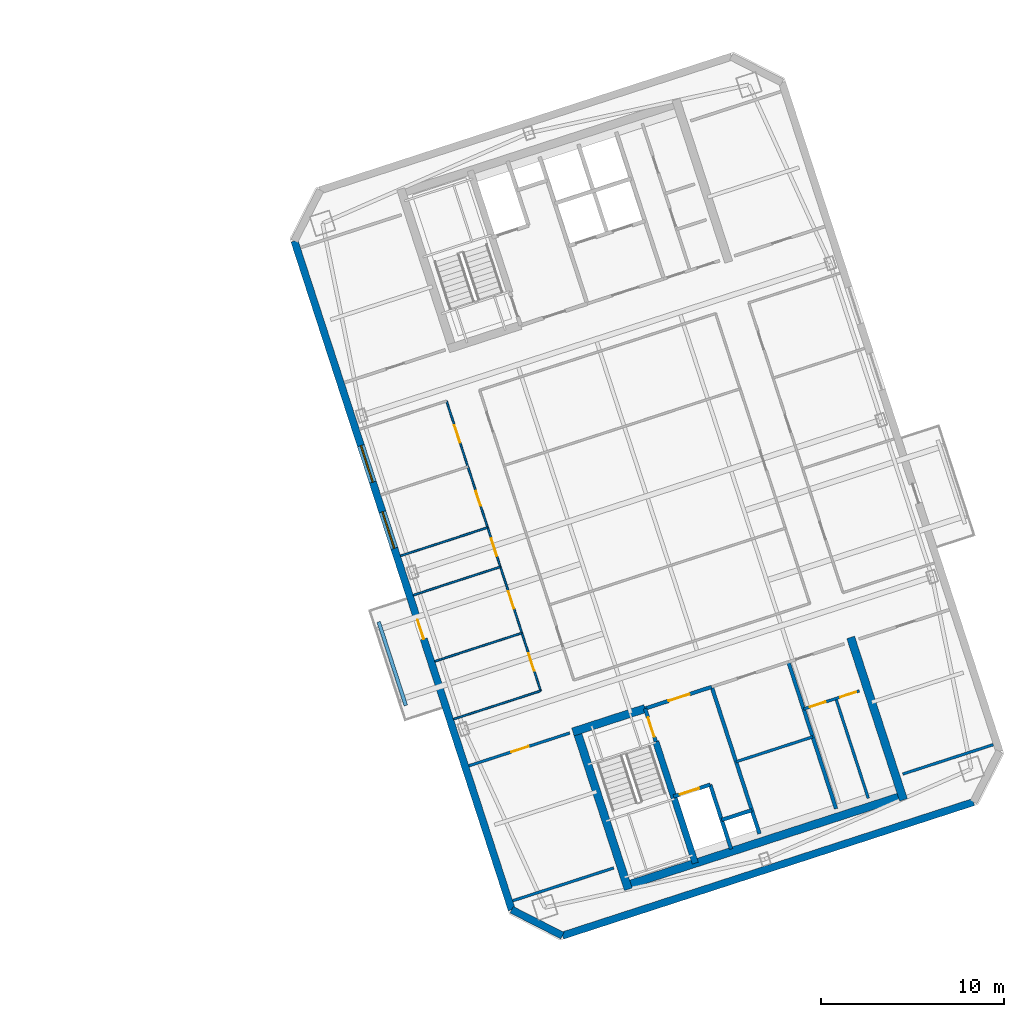
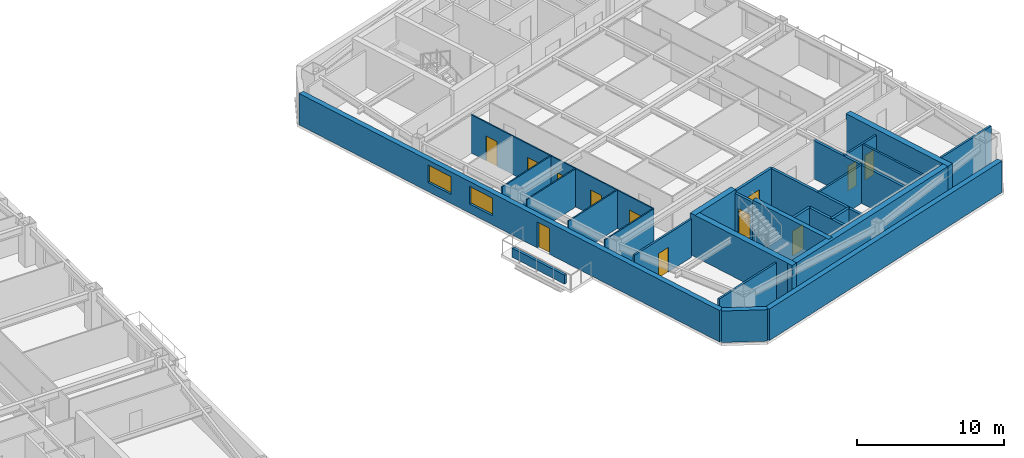
# One storey, part 8 of 15: 27 walls, 12 doors, 2 windows, 14 openings.
"""IFC4 building model written with IfcOpenShell, lengths in metres."""

from ifc_helpers import new_model, si_unit, direction, frame, frame_2d, origin, place, context, subcontext, project, spatial, rectangle, extrude, material, layer, layer_set, type_object, element, fill, save


model = new_model("IFC4")

# Units and contexts
model_context = context("Model", 3, precision=1e-05, world=origin(), true_north=direction((0.0, 1.0)))
body_context = subcontext(model_context, "Body", "Model", "MODEL_VIEW")
ifc_project = project(units=[si_unit("LENGTHUNIT", "METRE"), si_unit("AREAUNIT", "SQUARE_METRE"), si_unit("VOLUMEUNIT", "CUBIC_METRE"), si_unit("PLANEANGLEUNIT", "RADIAN"), si_unit("MASSUNIT", "GRAM", prefix="KILO")], contexts=[model_context])

# Site, building, storey
site_placement = place(None, origin())
site = spatial("IfcSite", under=ifc_project, at=site_placement, CompositionType="ELEMENT")
building_placement = place(site_placement, origin())
building = spatial("IfcBuilding", under=site, at=building_placement, Name="Qiaolan Cultural Towers", CompositionType="ELEMENT")
storey_placement = place(building_placement, frame((0.0, 0.0, 209.300048828125)))
storey = spatial("IfcBuildingStorey", under=building, at=storey_placement, Name="L56", CompositionType="ELEMENT", Elevation=209.300048828125)

# Walls
ifc_material_1 = material(Name="Concrete C50", Category="concrete")
ifc_layer_1 = layer(ifc_material_1, 0.35009765625)
ifc_layer_set_1 = layer_set([ifc_layer_1], Name="Concrete C50")
wall_type_1 = type_object("IfcWallType", Name="WL-CORE-350", PredefinedType="SHEAR", material=ifc_layer_set_1)
wall_1_placement = place(storey_placement, frame((90.486328125, 20.59423828125, 0.0), z_axis=(0.0, 0.0, 1.0), x_axis=(0.309020428229, -0.951055400562, 0.0)))
element("IfcWall", 1, at=wall_1_placement, inside=storey, type_object=wall_type_1, Name="L56 T2-CS Stair Core Dividing Web", PredefinedType="SHEAR", context=body_context, shape_type="SweptSolid", body=[
    extrude(rectangle(XDim=6.97998046875, YDim=0.35009765625, at=frame_2d((3.489990234375, 0.0))), origin(), (0.0, 0.0, 1.0), 3.449951171875),
])
ifc_material_2 = material(Name="Concrete C50", Category="concrete")
ifc_layer_2 = layer(ifc_material_2, 0.449951171875)
ifc_layer_set_2 = layer_set([ifc_layer_2], Name="Concrete C50")
wall_type_2 = type_object("IfcWallType", Name="WL-CORE-450", PredefinedType="SHEAR", material=ifc_layer_set_2)
wall_2_placement = place(storey_placement, frame((88.701171875, 12.675048828125, 0.0), z_axis=(0.0, 0.0, 1.0), x_axis=(0.95105824505, 0.309011673763, 0.0)))
element("IfcWall", 2, at=wall_2_placement, inside=storey, type_object=wall_type_2, Name="L56 T2-CS Outer Core Shear Wall", PredefinedType="SHEAR", context=body_context, shape_type="SweptSolid", body=[
    extrude(rectangle(XDim=16.250244140625, YDim=0.449951171875, at=frame_2d((8.125, 0.0))), origin(), (0.0, 0.0, 1.0), 3.449951171875),
])
for number, where, z_axis, x_axis, name in (
    (3, (86.1015625, 21.40380859375, 0.0), (0.0, 0.0, 1.0), (0.309035778627, -0.951050412717, 0.0), "L56 T2-CS West Core Shear Wall"),
    (4, (101.12841796875, 26.286376953125, 0.0), (0.0, 0.0, 1.0), (0.309004419953, -0.951060601881, 0.0), "L56 T2-CS East Core Shear Wall"),
):
    element("IfcWall", number, at=place(storey_placement, frame(where, z_axis=z_axis, x_axis=x_axis)), inside=storey, type_object=wall_type_2, Name=name, PredefinedType="SHEAR", context=body_context, shape_type="SweptSolid", body=[
        extrude(rectangle(XDim=9.330078125, YDim=0.449951171875, at=frame_2d((4.6650390625, 0.0))), origin(), (0.0, 0.0, 1.0), 3.449951171875),
    ])
wall_3_placement = place(storey_placement, frame((85.957275390625, 21.120361328125, 0.0), z_axis=(0.0, 0.0, 1.0), x_axis=(0.951064796122, 0.308991510526, 0.0)))
element("IfcWall", 5, at=wall_3_placement, inside=storey, type_object=wall_type_2, Name="L56 T2-CS Stair Front Shear Wall", PredefinedType="SHEAR", context=body_context, shape_type="SweptSolid", body=[
    extrude(rectangle(XDim=4.14501953125, YDim=0.449951171875, at=frame_2d((2.072509765625, 0.0))), origin(), (0.0, 0.0, 1.0), 3.449951171875),
])

# Wall, openings, door, windows
ifc_material_3 = material(Name="Precast Concrete C50 Honed Stone Pier", Category="masonry")
ifc_layer_3 = layer(ifc_material_3, 0.39990234375)
ifc_layer_set_3 = layer_set([ifc_layer_3], Name="Precast Concrete C50 Honed Stone Pier")
wall_type_3 = type_object("IfcWallType", Name="WL-EXT-PIER-400", PredefinedType="SOLIDWALL", material=ifc_layer_set_3)
wall_4_placement = place(storey_placement, frame((82.618408203125, 11.41357421875, 0.0), z_axis=(0.0, 0.0, 1.0), x_axis=(-0.309016491071, 0.951056679828, 0.0)))
wall_4 = element("IfcWall", 6, at=wall_4_placement, inside=storey, type_object=wall_type_3, Name="L56 East Tower Precast Pier Facade Wall F1", PredefinedType="SOLIDWALL", context=body_context, shape_type="SweptSolid", body=[
    extrude(rectangle(XDim=38.39990234375, YDim=0.39990234375, at=frame_2d((19.199951171875, 0.0))), origin(), (0.0, 0.0, 1.0), 2.60986328125),
])
opening_1_placement = place(wall_4_placement, frame((20.75, 0.0, 0.75)))
opening_1 = element("IfcOpeningElement", 7, at=opening_1_placement, cuts=wall_4, Name="Opening W-05", PredefinedType="OPENING", context=body_context, shape_type="SweptSolid", body=[
    extrude(rectangle(XDim=2.10009765625, YDim=1.4599609375, at=frame_2d((1.050048828125, 0.72998046875))), frame((0.0, 0.2099609375, 0.0), z_axis=(0.0, -1.0, 0.0), x_axis=(1.0, 0.0, 0.0)), (0.0, 0.0, 1.0), 0.419921875),
])
opening_2_placement = place(wall_4_placement, frame((24.550048828125, 0.0, 0.75)))
opening_2 = element("IfcOpeningElement", 8, at=opening_2_placement, cuts=wall_4, Name="Opening W-05", PredefinedType="OPENING", context=body_context, shape_type="SweptSolid", body=[
    extrude(rectangle(XDim=2.10009765625, YDim=1.4599609375, at=frame_2d((1.050048828125, 0.72998046875))), frame((0.0, 0.2099609375, 0.0), z_axis=(0.0, -1.0, 0.0), x_axis=(1.0, 0.0, 0.0)), (0.0, 0.0, 1.0), 0.419921875),
])
opening_3_placement = place(wall_4_placement, frame((15.550048828125, 0.0, 0.0)))
opening_3 = element("IfcOpeningElement", 9, at=opening_3_placement, cuts=wall_4, Name="Opening BD-01", PredefinedType="OPENING", context=body_context, shape_type="SweptSolid", body=[
    extrude(rectangle(XDim=1.10009765625, YDim=2.14990234375, at=frame_2d((0.550048828125, 1.074951171875))), frame((0.0, 0.2099609375, 0.0), z_axis=(0.0, -1.0, 0.0), x_axis=(1.0, 0.0, 0.0)), (0.0, 0.0, 1.0), 0.419921875),
])
ifc_material_4 = material(Name="Thermally Broken Aluminium Glazed Terrace Door", Category="aluminium")
door_type_1 = type_object("IfcDoorType", Name="DR-BAL-1100", OperationType="NOTDEFINED", PredefinedType="DOOR", material=ifc_material_4)
door_1_placement = place(opening_3_placement, origin())
door_1 = element("IfcDoor", 10, at=door_1_placement, inside=storey, type_object=door_type_1, Name="L56 T2 West Tree Balcony Door", OperationType="SINGLE_SWING_LEFT", OverallHeight=2.14990234375, OverallWidth=1.10009765625, PredefinedType="DOOR", context=body_context, shape_type="SweptSolid", body=[
    extrude(rectangle(XDim=1.10009765625, YDim=2.14990234375, at=frame_2d((0.550048828125, 1.074951171875))), frame((0.0, 0.02490234375, 0.0), z_axis=(0.0, -1.0, 0.0), x_axis=(1.0, 0.0, 0.0)), (0.0, 0.0, 1.0), 0.050048828125),
])
fill(opening_3, door_1)
ifc_material_5 = material(Name="Thermally Broken Aluminium Triple Low-E Glazing", Category="aluminium")
window_type = type_object("IfcWindowType", Name="WN-CHIC-2100", PartitioningType="SINGLE_PANEL", PredefinedType="WINDOW", material=ifc_material_5)
window_1_placement = place(opening_1_placement, origin())
window_1 = element("IfcWindow", 11, at=window_1_placement, inside=storey, type_object=window_type, Name="L56 T2 W Chicago Bay Window 1", OverallHeight=1.4599609375, OverallWidth=2.10009765625, PartitioningType="TRIPLE_PANEL_VERTICAL", PredefinedType="WINDOW", context=body_context, shape_type="SweptSolid", body=[
    extrude(rectangle(XDim=2.10009765625, YDim=1.4599609375, at=frame_2d((1.050048828125, 0.72998046875))), frame((0.0, 0.030029296875, 0.0), z_axis=(0.0, -1.0, 0.0), x_axis=(1.0, 0.0, 0.0)), (0.0, 0.0, 1.0), 0.06005859375),
])
fill(opening_1, window_1)
window_2_placement = place(opening_2_placement, origin())
window_2 = element("IfcWindow", 12, at=window_2_placement, inside=storey, type_object=window_type, Name="L56 T2 W Chicago Bay Window 2", OverallHeight=1.4599609375, OverallWidth=2.10009765625, PartitioningType="TRIPLE_PANEL_VERTICAL", PredefinedType="WINDOW", context=body_context, shape_type="SweptSolid", body=[
    extrude(rectangle(XDim=2.10009765625, YDim=1.4599609375, at=frame_2d((1.050048828125, 0.72998046875))), frame((0.0, 0.030029296875, 0.0), z_axis=(0.0, -1.0, 0.0), x_axis=(1.0, 0.0, 0.0)), (0.0, 0.0, 1.0), 0.06005859375),
])
fill(opening_2, window_2)

# Walls
wall_5_placement = place(storey_placement, frame((107.83544921875, 17.293701171875, 0.0), z_axis=(0.0, 0.0, 1.0), x_axis=(-0.951058012937, -0.309012388148, 0.0)))
element("IfcWall", 13, at=wall_5_placement, inside=storey, type_object=wall_type_3, Name="L56 East Tower Precast Pier Facade Wall F7", PredefinedType="SOLIDWALL", context=body_context, shape_type="SweptSolid", body=[
    extrude(rectangle(XDim=23.60009765625, YDim=0.39990234375, at=frame_2d((11.800048828125, 0.0))), origin(), (0.0, 0.0, 1.0), 2.60986328125),
])
wall_6_placement = place(storey_placement, frame((85.390380859375, 10.0009765625, 0.0), z_axis=(0.0, 0.0, 1.0), x_axis=(-0.890979603174, 0.454043331334, 0.0)))
element("IfcWall", 14, at=wall_6_placement, inside=storey, type_object=wall_type_3, Name="L56 East Tower Precast Pier Facade Wall F8", PredefinedType="SOLIDWALL", context=body_context, shape_type="SweptSolid", body=[
    extrude(rectangle(XDim=3.111083984375, YDim=0.39990234375, at=frame_2d((1.5556640625, 0.0))), origin(), (0.0, 0.0, 1.0), 2.60986328125),
])

# Wall, opening, door
ifc_material_6 = material(Name="Concrete C35 Fire Wall", Category="concrete")
ifc_layer_4 = layer(ifc_material_6, 0.199951171875)
ifc_layer_set_4 = layer_set([ifc_layer_4], Name="Concrete C35 Fire Wall")
wall_type_4 = type_object("IfcWallType", Name="WL-FIRE-200", PredefinedType="PARTITIONING", material=ifc_layer_set_4)
wall_7_placement = place(storey_placement, frame((89.8994140625, 22.401123046875, 0.0), z_axis=(0.0, 0.0, 1.0), x_axis=(0.308932062672, -0.951084108086, 0.0)))
wall_7 = element("IfcWall", 15, at=wall_7_placement, inside=storey, type_object=wall_type_4, Name="L56 T2-CS Smokeproof Stair Entry Wall", PredefinedType="PARTITIONING", context=body_context, shape_type="SweptSolid", body=[
    extrude(rectangle(XDim=1.89990234375, YDim=0.199951171875, at=frame_2d((0.949951171875, 0.0))), origin(), (0.0, 0.0, 1.0), 3.175048828125),
])
opening_4_placement = place(wall_7_placement, frame((0.52001953125, 0.0, 0.0)))
opening_4 = element("IfcOpeningElement", 16, at=opening_4_placement, cuts=wall_7, Name="Opening FD-04", PredefinedType="OPENING", context=body_context, shape_type="SweptSolid", body=[
    extrude(rectangle(XDim=1.10009765625, YDim=2.050048828125, at=frame_2d((0.550048828125, 1.02490234375))), frame((0.0, 0.10986328125, 0.0), z_axis=(0.0, -1.0, 0.0), x_axis=(1.0, 0.0, 0.0)), (0.0, 0.0, 1.0), 0.219970703125),
])
ifc_material_7 = material(Name="Galvanized Steel Command Fire Door", Category="steel")
door_type_2 = type_object("IfcDoorType", Name="DR-FD90-1100", OperationType="NOTDEFINED", PredefinedType="DOOR", material=ifc_material_7)
door_2_placement = place(opening_4_placement, origin())
door_2 = element("IfcDoor", 17, at=door_2_placement, inside=storey, type_object=door_type_2, Name="L56 ST-E1 Smokeproof Stair Fire Door", OperationType="SINGLE_SWING_LEFT", OverallHeight=2.050048828125, OverallWidth=1.10009765625, PredefinedType="DOOR", context=body_context, shape_type="SweptSolid", body=[
    extrude(rectangle(XDim=1.10009765625, YDim=2.050048828125, at=frame_2d((0.550048828125, 1.02490234375))), frame((0.0, 0.02490234375, 0.0), z_axis=(0.0, -1.0, 0.0), x_axis=(1.0, 0.0, 0.0)), (0.0, 0.0, 1.0), 0.050048828125),
])
fill(opening_4, door_2)

# Wall
wall_8_placement = place(storey_placement, frame((93.541748046875, 23.584716796875, 0.0), z_axis=(0.0, 0.0, 1.0), x_axis=(0.309042196757, -0.951048327176, 0.0)))
element("IfcWall", 18, at=wall_8_placement, inside=storey, type_object=wall_type_4, Name="L56 T2-CS Firefighting Zone Wall", PredefinedType="PARTITIONING", context=body_context, shape_type="SweptSolid", body=[
    extrude(rectangle(XDim=8.429931640625, YDim=0.199951171875, at=frame_2d((4.21484375, 0.0))), origin(), (0.0, 0.0, 1.0), 3.175048828125),
])

# Wall, opening, door
wall_9_placement = place(storey_placement, frame((89.8994140625, 22.401123046875, 0.0), z_axis=(0.0, 0.0, 1.0), x_axis=(0.951046716504, 0.309047153403, 0.0)))
wall_9 = element("IfcWall", 19, at=wall_9_placement, inside=storey, type_object=wall_type_4, Name="L56 T2-CS Firefighting Lobby Front Wall", PredefinedType="PARTITIONING", context=body_context, shape_type="SweptSolid", body=[
    extrude(rectangle(XDim=3.829833984375, YDim=0.199951171875, at=frame_2d((1.9150390625, 0.0))), origin(), (0.0, 0.0, 1.0), 3.175048828125),
])
opening_5_placement = place(wall_9_placement, frame((1.35009765625, 0.0, 0.0)))
opening_5 = element("IfcOpeningElement", 20, at=opening_5_placement, cuts=wall_9, Name="Opening FD-03", PredefinedType="OPENING", context=body_context, shape_type="SweptSolid", body=[
    extrude(rectangle(XDim=1.199951171875, YDim=2.050048828125, at=frame_2d((0.60009765625, 1.02490234375))), frame((0.0, 0.10986328125, 0.0), z_axis=(0.0, -1.0, 0.0), x_axis=(1.0, 0.0, 0.0)), (0.0, 0.0, 1.0), 0.219970703125),
])
ifc_material_8 = material(Name="Galvanized Steel Smokeproof Lobby Fire Door", Category="steel")
door_type_3 = type_object("IfcDoorType", Name="DR-FD90-1200", OperationType="NOTDEFINED", PredefinedType="DOOR", material=ifc_material_8)
door_3_placement = place(opening_5_placement, origin())
door_3 = element("IfcDoor", 21, at=door_3_placement, inside=storey, type_object=door_type_3, Name="L56 FFL-E1 Firefighting Lobby Fire Door", OperationType="SINGLE_SWING_LEFT", OverallHeight=2.050048828125, OverallWidth=1.199951171875, PredefinedType="DOOR", context=body_context, shape_type="SweptSolid", body=[
    extrude(rectangle(XDim=1.199951171875, YDim=2.050048828125, at=frame_2d((0.60009765625, 1.02490234375))), frame((0.0, 0.02490234375, 0.0), z_axis=(0.0, -1.0, 0.0), x_axis=(1.0, 0.0, 0.0)), (0.0, 0.0, 1.0), 0.050048828125),
])
fill(opening_5, door_3)

wall_10_placement = place(storey_placement, frame((91.459716796875, 17.598388671875, 0.0), z_axis=(0.0, 0.0, 1.0), x_axis=(0.951062257173, 0.308999325213, 0.0)))
wall_10 = element("IfcWall", 22, at=wall_10_placement, inside=storey, type_object=wall_type_4, Name="L56 T2-CS Firefighting Shaft Front Wall", PredefinedType="PARTITIONING", context=body_context, shape_type="SweptSolid", body=[
    extrude(rectangle(XDim=2.10009765625, YDim=0.199951171875, at=frame_2d((1.050048828125, 0.0))), origin(), (0.0, 0.0, 1.0), 3.175048828125),
])
opening_6_placement = place(wall_10_placement, frame((0.35009765625, 0.0, 0.0)))
opening_6 = element("IfcOpeningElement", 23, at=opening_6_placement, cuts=wall_10, Name="Opening LD-01", PredefinedType="OPENING", context=body_context, shape_type="SweptSolid", body=[
    extrude(rectangle(XDim=1.10009765625, YDim=2.050048828125, at=frame_2d((0.550048828125, 1.02490234375))), frame((0.0, 0.10986328125, 0.0), z_axis=(0.0, -1.0, 0.0), x_axis=(1.0, 0.0, 0.0)), (0.0, 0.0, 1.0), 0.219970703125),
])
ifc_material_9 = material(Name="Brushed Stainless Steel S30408 Centre-Parting Lift Landing Door", Category="steel")
door_type_4 = type_object("IfcDoorType", Name="DR-LIFT-1100", OperationType="NOTDEFINED", PredefinedType="DOOR", material=ifc_material_9)
door_4_placement = place(opening_6_placement, origin())
door_4 = element("IfcDoor", 24, at=door_4_placement, inside=storey, type_object=door_type_4, Name="L56 FFL-E1 Firefighting Lift Landing Door", OperationType="DOUBLE_DOOR_SLIDING", OverallHeight=2.050048828125, OverallWidth=1.10009765625, PredefinedType="DOOR", context=body_context, shape_type="SweptSolid", body=[
    extrude(rectangle(XDim=1.10009765625, YDim=2.050048828125, at=frame_2d((0.550048828125, 1.02490234375))), frame((0.0, 0.02490234375, 0.0), z_axis=(0.0, -1.0, 0.0), x_axis=(1.0, 0.0, 0.0)), (0.0, 0.0, 1.0), 0.050048828125),
])
fill(opening_6, door_4)

# Walls
wall_11_placement = place(storey_placement, frame((93.45703125, 18.247314453125, 0.0), z_axis=(0.0, 0.0, 1.0), x_axis=(0.3089935693, -0.951064127245, 0.0)))
element("IfcWall", 25, at=wall_11_placement, inside=storey, type_object=wall_type_4, Name="L56 T2-CS Firefighting Hoistway East Wall", PredefinedType="PARTITIONING", context=body_context, shape_type="SweptSolid", body=[
    extrude(rectangle(XDim=3.7001953125, YDim=0.199951171875, at=frame_2d((1.85009765625, 0.0))), origin(), (0.0, 0.0, 1.0), 3.175048828125),
])
wall_12_placement = place(storey_placement, frame((94.08447265625, 16.316650390625, 0.0), z_axis=(0.0, 0.0, 1.0), x_axis=(0.951041328149, 0.309063734775, 0.0)))
element("IfcWall", 26, at=wall_12_placement, inside=storey, type_object=wall_type_4, Name="L56 T2-CS Pressurization Shaft Front Wall", PredefinedType="PARTITIONING", context=body_context, shape_type="SweptSolid", body=[
    extrude(rectangle(XDim=1.72998046875, YDim=0.199951171875, at=frame_2d((0.864990234375, 0.0))), origin(), (0.0, 0.0, 1.0), 3.175048828125),
])
wall_13_placement = place(storey_placement, frame((97.7265625, 24.9443359375, 0.0), z_axis=(0.0, 0.0, 1.0), x_axis=(0.309016001439, -0.951056838919, 0.0)))
element("IfcWall", 27, at=wall_13_placement, inside=storey, type_object=wall_type_4, Name="L56 T2-CS Lift Core East Wall", PredefinedType="PARTITIONING", context=body_context, shape_type="SweptSolid", body=[
    extrude(rectangle(XDim=8.429931640625, YDim=0.199951171875, at=frame_2d((4.21484375, 0.0))), origin(), (0.0, 0.0, 1.0), 3.175048828125),
])
ifc_material_10 = material(Name="Acoustic Double-Glazed Partition Frame", Category="glass")
ifc_layer_5 = layer(ifc_material_10, 0.10009765625)
ifc_layer_set_5 = layer_set([ifc_layer_5], Name="Acoustic Double-Glazed Partition Frame")
wall_type_5 = type_object("IfcWallType", Name="WL-GLAZED-100", PredefinedType="MOVABLE", material=ifc_layer_set_5)
wall_14_placement = place(storey_placement, frame((79.446533203125, 21.82275390625, 0.0), z_axis=(0.0, 0.0, 1.0), x_axis=(0.951048779938, 0.309040803421, 0.0)))
element("IfcWall", 28, at=wall_14_placement, inside=storey, type_object=wall_type_5, Name="L56 T2 Interior Wall", PredefinedType="MOVABLE", context=body_context, shape_type="SweptSolid", body=[
    extrude(rectangle(XDim=4.999755859375, YDim=0.10009765625, at=frame_2d((2.5, 0.0))), origin(), (0.0, 0.0, 1.0), 3.175048828125),
])

# Wall, openings, doors
wall_15_placement = place(storey_placement, frame((84.20166015625, 23.367919921875, 0.0), z_axis=(0.0, 0.0, 1.0), x_axis=(-0.309022042254, 0.951054876125, 0.0)))
wall_15 = element("IfcWall", 29, at=wall_15_placement, inside=storey, type_object=wall_type_5, Name="L56 T2 Interior Wall", PredefinedType="MOVABLE", context=body_context, shape_type="SweptSolid", body=[
    extrude(rectangle(XDim=16.639892578125, YDim=0.10009765625, at=frame_2d((8.31982421875, 0.0))), origin(), (0.0, 0.0, 1.0), 3.175048828125),
])
opening_7_placement = place(wall_15_placement, frame((1.159912109375, 0.0, 0.0)))
opening_7 = element("IfcOpeningElement", 30, at=opening_7_placement, cuts=wall_15, Name="Opening ID-04", PredefinedType="OPENING", context=body_context, shape_type="SweptSolid", body=[
    extrude(rectangle(XDim=1.0, YDim=2.050048828125, at=frame_2d((0.5, 1.02490234375))), frame((0.0, 0.06005859375, 0.0), z_axis=(0.0, -1.0, 0.0), x_axis=(1.0, 0.0, 0.0)), (0.0, 0.0, 1.0), 0.1201171875),
])
opening_8_placement = place(wall_15_placement, frame((4.719970703125, 0.0, 0.0)))
opening_8 = element("IfcOpeningElement", 31, at=opening_8_placement, cuts=wall_15, Name="Opening ID-04", PredefinedType="OPENING", context=body_context, shape_type="SweptSolid", body=[
    extrude(rectangle(XDim=1.0, YDim=2.050048828125, at=frame_2d((0.5, 1.02490234375))), frame((0.0, 0.06005859375, 0.0), z_axis=(0.0, -1.0, 0.0), x_axis=(1.0, 0.0, 0.0)), (0.0, 0.0, 1.0), 0.1201171875),
])
opening_9_placement = place(wall_15_placement, frame((7.748046875, 0.0, 0.0)))
opening_9 = element("IfcOpeningElement", 32, at=opening_9_placement, cuts=wall_15, Name="Opening ID-04", PredefinedType="OPENING", context=body_context, shape_type="SweptSolid", body=[
    extrude(rectangle(XDim=1.0, YDim=2.050048828125, at=frame_2d((0.5, 1.02490234375))), frame((0.0, 0.06005859375, 0.0), z_axis=(0.0, -1.0, 0.0), x_axis=(1.0, 0.0, 0.0)), (0.0, 0.0, 1.0), 0.1201171875),
])
opening_10_placement = place(wall_15_placement, frame((10.623291015625, 0.0, 0.0)))
opening_10 = element("IfcOpeningElement", 33, at=opening_10_placement, cuts=wall_15, Name="Opening ID-09", PredefinedType="OPENING", context=body_context, shape_type="SweptSolid", body=[
    extrude(rectangle(XDim=0.85009765625, YDim=2.050048828125, at=frame_2d((0.425048828125, 1.02490234375))), frame((0.0, 0.06005859375, 0.0), z_axis=(0.0, -1.0, 0.0), x_axis=(1.0, 0.0, 0.0)), (0.0, 0.0, 1.0), 0.1201171875),
])
opening_11_placement = place(wall_15_placement, frame((14.25537109375, 0.0, 0.0)))
opening_11 = element("IfcOpeningElement", 34, at=opening_11_placement, cuts=wall_15, Name="Opening ID-04", PredefinedType="OPENING", context=body_context, shape_type="SweptSolid", body=[
    extrude(rectangle(XDim=1.0, YDim=2.050048828125, at=frame_2d((0.5, 1.02490234375))), frame((0.0, 0.06005859375, 0.0), z_axis=(0.0, -1.0, 0.0), x_axis=(1.0, 0.0, 0.0)), (0.0, 0.0, 1.0), 0.1201171875),
])
ifc_material_11 = material(Name="Oak Veneer Acoustic Office Door", Category="timber")
door_type_5 = type_object("IfcDoorType", Name="DR-INT-1000", OperationType="NOTDEFINED", PredefinedType="DOOR", material=ifc_material_11)
door_5_placement = place(opening_7_placement, origin())
door_5 = element("IfcDoor", 35, at=door_5_placement, inside=storey, type_object=door_type_5, Name="L56 T2 Wellness & Meditation Room Door", OperationType="SINGLE_SWING_LEFT", OverallHeight=2.050048828125, OverallWidth=1.0, PredefinedType="DOOR", context=body_context, shape_type="SweptSolid", body=[
    extrude(rectangle(XDim=1.0, YDim=2.050048828125, at=frame_2d((0.5, 1.02490234375))), frame((0.0, 0.02490234375, 0.0), z_axis=(0.0, -1.0, 0.0), x_axis=(1.0, 0.0, 0.0)), (0.0, 0.0, 1.0), 0.050048828125),
])
fill(opening_7, door_5)
door_6_placement = place(opening_8_placement, origin())
door_6 = element("IfcDoor", 36, at=door_6_placement, inside=storey, type_object=door_type_5, Name="L56 T2 Wellness & Meditation Room Door", OperationType="SINGLE_SWING_RIGHT", OverallHeight=2.050048828125, OverallWidth=1.0, PredefinedType="DOOR", context=body_context, shape_type="SweptSolid", body=[
    extrude(rectangle(XDim=1.0, YDim=2.050048828125, at=frame_2d((0.5, 1.02490234375))), frame((0.0, 0.02490234375, 0.0), z_axis=(0.0, -1.0, 0.0), x_axis=(1.0, 0.0, 0.0)), (0.0, 0.0, 1.0), 0.050048828125),
])
fill(opening_8, door_6)
door_7_placement = place(opening_9_placement, origin())
door_7 = element("IfcDoor", 37, at=door_7_placement, inside=storey, type_object=door_type_5, Name="L56 T2 Tea Preparation Room Door", OperationType="SINGLE_SWING_LEFT", OverallHeight=2.050048828125, OverallWidth=1.0, PredefinedType="DOOR", context=body_context, shape_type="SweptSolid", body=[
    extrude(rectangle(XDim=1.0, YDim=2.050048828125, at=frame_2d((0.5, 1.02490234375))), frame((0.0, 0.02490234375, 0.0), z_axis=(0.0, -1.0, 0.0), x_axis=(1.0, 0.0, 0.0)), (0.0, 0.0, 1.0), 0.050048828125),
])
fill(opening_9, door_7)
door_8_placement = place(opening_11_placement, origin())
door_8 = element("IfcDoor", 38, at=door_8_placement, inside=storey, type_object=door_type_5, Name="L56 T2 Quiet Lounge Door", OperationType="SINGLE_SWING_LEFT", OverallHeight=2.050048828125, OverallWidth=1.0, PredefinedType="DOOR", context=body_context, shape_type="SweptSolid", body=[
    extrude(rectangle(XDim=1.0, YDim=2.050048828125, at=frame_2d((0.5, 1.02490234375))), frame((0.0, 0.02490234375, 0.0), z_axis=(0.0, -1.0, 0.0), x_axis=(1.0, 0.0, 0.0)), (0.0, 0.0, 1.0), 0.050048828125),
])
fill(opening_11, door_8)
ifc_material_12 = material(Name="Moisture-Resistant Laminate Utility Door", Category="timber")
door_type_6 = type_object("IfcDoorType", Name="DR-INT-850", OperationType="NOTDEFINED", PredefinedType="DOOR", material=ifc_material_12)
door_9_placement = place(opening_10_placement, origin())
door_9 = element("IfcDoor", 39, at=door_9_placement, inside=storey, type_object=door_type_6, Name="L56 T2 Tea Preparation Room Door", OperationType="SINGLE_SWING_RIGHT", OverallHeight=2.050048828125, OverallWidth=0.85009765625, PredefinedType="DOOR", context=body_context, shape_type="SweptSolid", body=[
    extrude(rectangle(XDim=0.85009765625, YDim=2.050048828125, at=frame_2d((0.425048828125, 1.02490234375))), frame((0.0, 0.02490234375, 0.0), z_axis=(0.0, -1.0, 0.0), x_axis=(1.0, 0.0, 0.0)), (0.0, 0.0, 1.0), 0.050048828125),
])
fill(opening_10, door_9)

# Walls
wall_16_placement = place(storey_placement, frame((78.42041015625, 24.980224609375, 0.0), z_axis=(0.0, 0.0, 1.0), x_axis=(0.951053443117, 0.309026452484, 0.0)))
element("IfcWall", 40, at=wall_16_placement, inside=storey, type_object=wall_type_5, Name="L56 T2 Interior Wall", PredefinedType="MOVABLE", context=body_context, shape_type="SweptSolid", body=[
    extrude(rectangle(XDim=5.0, YDim=0.10009765625, at=frame_2d((2.5, 0.0))), origin(), (0.0, 0.0, 1.0), 3.175048828125),
])
for number, where, z_axis, x_axis, name in (
    (41, (77.246337890625, 28.59423828125, 0.0), (0.0, 0.0, 1.0), (0.951048779938, 0.309040803421, 0.0), "L56 T2 Interior Wall"),
    (42, (76.549072265625, 30.739990234375, 0.0), (0.0, 0.0, 1.0), (0.951048779938, 0.309040803421, 0.0), "L56 T2 Interior Wall"),
):
    element("IfcWall", number, at=place(storey_placement, frame(where, z_axis=z_axis, x_axis=x_axis)), inside=storey, type_object=wall_type_5, Name=name, PredefinedType="MOVABLE", context=body_context, shape_type="SweptSolid", body=[
        extrude(rectangle(XDim=4.999755859375, YDim=0.10009765625, at=frame_2d((2.5, 0.0))), origin(), (0.0, 0.0, 1.0), 3.175048828125),
    ])
ifc_material_13 = material(Name="Autoclaved Aerated Concrete Block B06", Category="concrete")
ifc_layer_6 = layer(ifc_material_13, 0.14990234375)
ifc_layer_set_6 = layer_set([ifc_layer_6], Name="Autoclaved Aerated Concrete Block B06")
wall_type_6 = type_object("IfcWallType", Name="WL-PART-150", PredefinedType="PARTITIONING", material=ifc_layer_set_6)
wall_17_placement = place(storey_placement, frame((94.87060546875, 19.4951171875, 0.0), z_axis=(0.0, 0.0, 1.0), x_axis=(0.951042223598, 0.309060979314, 0.0)))
element("IfcWall", 43, at=wall_17_placement, inside=storey, type_object=wall_type_6, Name="L56 T2-CS Reclaimed Room Subdivider", PredefinedType="PARTITIONING", context=body_context, shape_type="SweptSolid", body=[
    extrude(rectangle(XDim=4.39990234375, YDim=0.14990234375, at=frame_2d((2.199951171875, 0.0))), origin(), (0.0, 0.0, 1.0), 3.175048828125),
])

# Wall, openings, doors
wall_18_placement = place(storey_placement, frame((98.560791015625, 22.37646484375, 0.0), z_axis=(0.0, 0.0, 1.0), x_axis=(0.95104415986, 0.309055020985, 0.0)))
wall_18 = element("IfcWall", 44, at=wall_18_placement, inside=storey, type_object=wall_type_6, Name="L56 T2-CS Restroom Vestibule Wall", PredefinedType="PARTITIONING", context=body_context, shape_type="SweptSolid", body=[
    extrude(rectangle(XDim=3.2001953125, YDim=0.14990234375, at=frame_2d((1.60009765625, 0.0))), origin(), (0.0, 0.0, 1.0), 3.175048828125),
])
opening_12_placement = place(wall_18_placement, frame((0.35009765625, 0.0, 0.0)))
opening_12 = element("IfcOpeningElement", 45, at=opening_12_placement, cuts=wall_18, Name="Opening ID-06", PredefinedType="OPENING", context=body_context, shape_type="SweptSolid", body=[
    extrude(rectangle(XDim=0.89990234375, YDim=2.050048828125, at=frame_2d((0.449951171875, 1.02490234375))), frame((0.0, 0.0849609375, 0.0), z_axis=(0.0, -1.0, 0.0), x_axis=(1.0, 0.0, 0.0)), (0.0, 0.0, 1.0), 0.169921875),
])
opening_13_placement = place(wall_18_placement, frame((2.10009765625, 0.0, 0.0)))
opening_13 = element("IfcOpeningElement", 46, at=opening_13_placement, cuts=wall_18, Name="Opening ID-06", PredefinedType="OPENING", context=body_context, shape_type="SweptSolid", body=[
    extrude(rectangle(XDim=0.89990234375, YDim=2.050048828125, at=frame_2d((0.449951171875, 1.02490234375))), frame((0.0, 0.0849609375, 0.0), z_axis=(0.0, -1.0, 0.0), x_axis=(1.0, 0.0, 0.0)), (0.0, 0.0, 1.0), 0.169921875),
])
ifc_material_14 = material(Name="Fire-Rated Laminate Core Service Door", Category="timber")
door_type_7 = type_object("IfcDoorType", Name="DR-INT-900", OperationType="NOTDEFINED", PredefinedType="DOOR", material=ifc_material_14)
door_10_placement = place(opening_12_placement, origin())
door_10 = element("IfcDoor", 47, at=door_10_placement, inside=storey, type_object=door_type_7, Name="L56 Men Restroom Door", OperationType="SINGLE_SWING_LEFT", OverallHeight=2.050048828125, OverallWidth=0.89990234375, PredefinedType="DOOR", context=body_context, shape_type="SweptSolid", body=[
    extrude(rectangle(XDim=0.89990234375, YDim=2.050048828125, at=frame_2d((0.449951171875, 1.02490234375))), frame((0.0, 0.02490234375, 0.0), z_axis=(0.0, -1.0, 0.0), x_axis=(1.0, 0.0, 0.0)), (0.0, 0.0, 1.0), 0.050048828125),
])
fill(opening_12, door_10)
door_11_placement = place(opening_13_placement, origin())
door_11 = element("IfcDoor", 48, at=door_11_placement, inside=storey, type_object=door_type_7, Name="L56 Accessible & Women Restroom Door", OperationType="SINGLE_SWING_RIGHT", OverallHeight=2.050048828125, OverallWidth=0.89990234375, PredefinedType="DOOR", context=body_context, shape_type="SweptSolid", body=[
    extrude(rectangle(XDim=0.89990234375, YDim=2.050048828125, at=frame_2d((0.449951171875, 1.02490234375))), frame((0.0, 0.02490234375, 0.0), z_axis=(0.0, -1.0, 0.0), x_axis=(1.0, 0.0, 0.0)), (0.0, 0.0, 1.0), 0.050048828125),
])
fill(opening_13, door_11)

# Walls
wall_19_placement = place(storey_placement, frame((100.3203125, 22.9482421875, 0.0), z_axis=(0.0, 0.0, 1.0), x_axis=(0.309035009867, -0.951050662518, 0.0)))
element("IfcWall", 49, at=wall_19_placement, inside=storey, type_object=wall_type_6, Name="L56 T2-CS Restroom Divider Wall", PredefinedType="PARTITIONING", context=body_context, shape_type="SweptSolid", body=[
    extrude(rectangle(XDim=5.72998046875, YDim=0.14990234375, at=frame_2d((2.864990234375, 0.0))), origin(), (0.0, 0.0, 1.0), 3.175048828125),
])
wall_20_placement = place(storey_placement, frame((82.66943359375, 11.9033203125, 0.0), z_axis=(0.0, 0.0, 1.0), x_axis=(0.951059431056, 0.309008023519, 0.0)))
element("IfcWall", 50, at=wall_20_placement, inside=storey, type_object=wall_type_6, Name="L56 T2 Flank Wall FLK-SW", PredefinedType="PARTITIONING", context=body_context, shape_type="SweptSolid", body=[
    extrude(rectangle(XDim=5.800048828125, YDim=0.14990234375, at=frame_2d((2.89990234375, 0.0))), origin(), (0.0, 0.0, 1.0), 3.175048828125),
])

# Wall, opening, door
wall_21_placement = place(storey_placement, frame((80.274658203125, 19.27392578125, 0.0), z_axis=(0.0, 0.0, 1.0), x_axis=(0.951059431056, 0.309008023519, 0.0)))
wall_21 = element("IfcWall", 51, at=wall_21_placement, inside=storey, type_object=wall_type_6, Name="L56 T2 Flank Front FLK-SW", PredefinedType="PARTITIONING", context=body_context, shape_type="SweptSolid", body=[
    extrude(rectangle(XDim=5.800048828125, YDim=0.14990234375, at=frame_2d((2.89990234375, 0.0))), origin(), (0.0, 0.0, 1.0), 3.175048828125),
])
opening_14_placement = place(wall_21_placement, frame((2.43603515625, 0.0, 0.0)))
opening_14 = element("IfcOpeningElement", 52, at=opening_14_placement, cuts=wall_21, Name="Opening ID-04", PredefinedType="OPENING", context=body_context, shape_type="SweptSolid", body=[
    extrude(rectangle(XDim=1.0, YDim=2.050048828125, at=frame_2d((0.5, 1.02490234375))), frame((0.0, 0.0849609375, 0.0), z_axis=(0.0, -1.0, 0.0), x_axis=(1.0, 0.0, 0.0)), (0.0, 0.0, 1.0), 0.169921875),
])
door_12_placement = place(opening_14_placement, origin())
door_12 = element("IfcDoor", 53, at=door_12_placement, inside=storey, type_object=door_type_5, Name="L56 T2 Corner Studio Door", OperationType="SINGLE_SWING_LEFT", OverallHeight=2.050048828125, OverallWidth=1.0, PredefinedType="DOOR", context=body_context, shape_type="SweptSolid", body=[
    extrude(rectangle(XDim=1.0, YDim=2.050048828125, at=frame_2d((0.5, 1.02490234375))), frame((0.0, 0.02490234375, 0.0), z_axis=(0.0, -1.0, 0.0), x_axis=(1.0, 0.0, 0.0)), (0.0, 0.0, 1.0), 0.050048828125),
])
fill(opening_14, door_12)

# Walls
wall_22_placement = place(storey_placement, frame((103.97314453125, 18.8251953125, 0.0), z_axis=(0.0, 0.0, 1.0), x_axis=(0.951055112834, 0.309021313752, 0.0)))
element("IfcWall", 54, at=wall_22_placement, inside=storey, type_object=wall_type_6, Name="L56 T2 Flank Wall FLK-SE", PredefinedType="PARTITIONING", context=body_context, shape_type="SweptSolid", body=[
    extrude(rectangle(XDim=5.2001953125, YDim=0.14990234375, at=frame_2d((2.60009765625, 0.0))), origin(), (0.0, 0.0, 1.0), 3.175048828125),
])
ifc_material_15 = material(Name="Precast Concrete C45 Tree Planter Upstand", Category="concrete")
ifc_layer_7 = layer(ifc_material_15, 0.199951171875)
ifc_layer_set_7 = layer_set([ifc_layer_7], Name="Precast Concrete C45 Tree Planter Upstand")
wall_type_7 = type_object("IfcWallType", Name="WL-PLANTER-200", PredefinedType="PARAPET", material=ifc_layer_set_7)
wall_23_placement = place(storey_placement, frame((76.8369140625, 22.572998046875, 0.0), z_axis=(0.0, 0.0, 1.0), x_axis=(-0.309032019345, 0.951051634255, 0.0)))
element("IfcWall", 55, at=wall_23_placement, inside=storey, type_object=wall_type_7, Name="L56 T2 Tree Balcony Soil Planter Box W", PredefinedType="PARAPET", context=body_context, shape_type="SweptSolid", body=[
    extrude(rectangle(XDim=4.800048828125, YDim=0.199951171875, at=frame_2d((2.39990234375, 0.0))), origin(), (0.0, 0.0, 1.0), 0.75),
])

save(model, "model.ifc")
